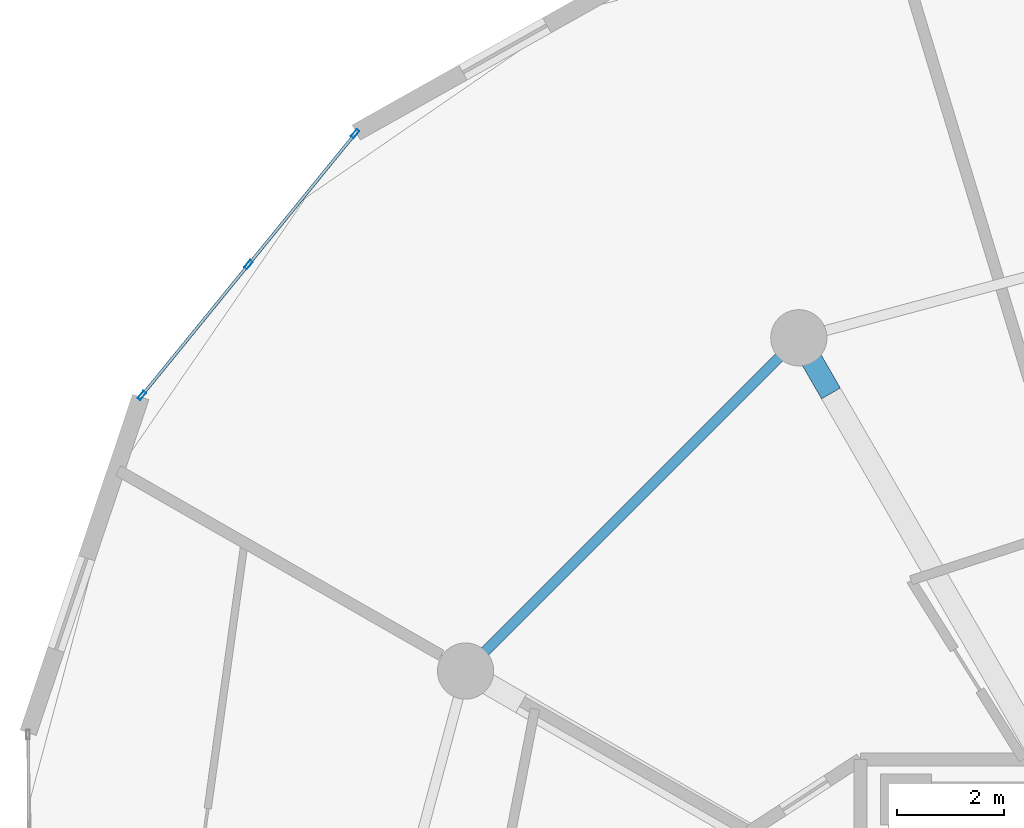
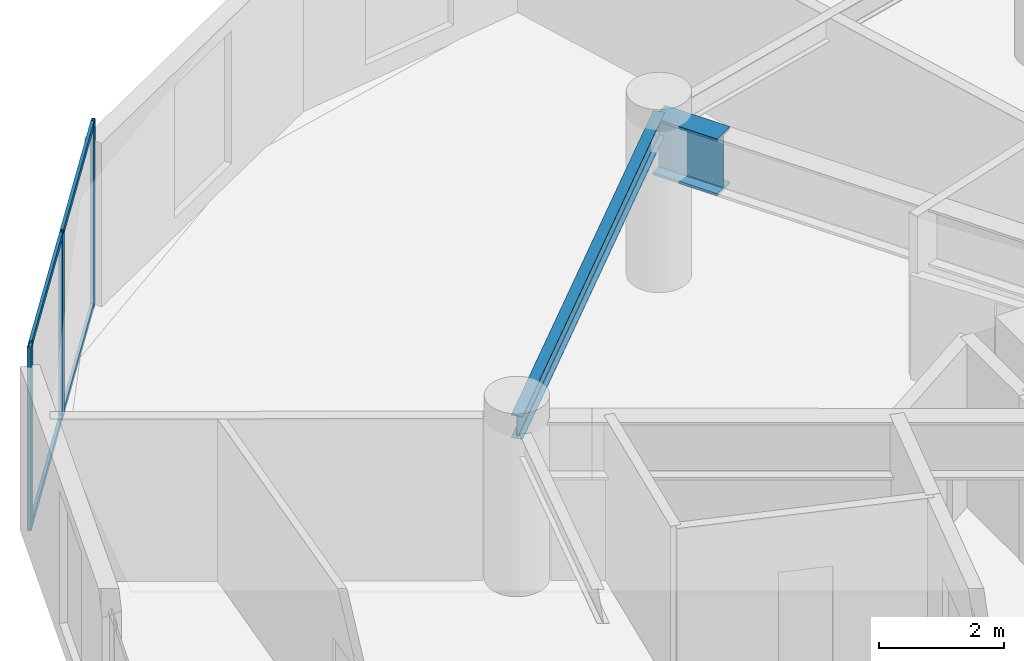
# One storey, part 12 of 22: 7 members, 2 beams, 1 element without a shape of its own.
"""IFC4 building model written with IfcOpenShell, lengths in metres."""

import ifcopenshell
import ifcopenshell.guid

model = None  # the IFC model being written
_history = None  # IfcOwnerHistory: only IFC2X3 demands one
_inside = {}  # id of a spatial element -> (the spatial element, [elements in it])
_under = {}  # id of a project, library or spatial element -> (it, [spatial elements below it])
_declared = {}  # id of a project -> (the project, [libraries it declares])
_typed = {}  # id of a type object -> (the type object, [elements of that type])
_made_of = {}  # id of a material, layer set ... -> (it, [elements and type objects made of it])


def new_model(schema):
    """Start an empty IFC model of exactly this schema.

    Asked for "IFC4X3", IfcOpenShell would pick the latest addendum, in which some entities
    have other attributes; the version numbers below select the first issue.
    IFC2X3 requires an IfcOwnerHistory on every rooted entity: one is made here for all.
    """
    global model, _history
    if schema == "IFC4X3":
        model = ifcopenshell.file(schema_version=(4, 3, 0, 0))
    else:
        model = ifcopenshell.file(schema=schema)
    _inside.clear()
    _under.clear()
    _declared.clear()
    _typed.clear()
    _made_of.clear()
    _history = None
    if model.schema == "IFC2X3":
        org = make("IfcOrganization", Name="unknown")
        user = make(
            "IfcPersonAndOrganization",
            ThePerson=make("IfcPerson", FamilyName="unknown"),
            TheOrganization=org,
        )
        app = make(
            "IfcApplication",
            ApplicationDeveloper=org,
            Version="unknown",
            ApplicationFullName="unknown",
            ApplicationIdentifier="unknown",
        )
        _history = make(
            "IfcOwnerHistory",
            OwningUser=user,
            OwningApplication=app,
            ChangeAction="ADDED",
            CreationDate=0,
        )
    return model


def make(cls, **values):
    """One entity of the class cls with the attributes given. An attribute that is None is left unset."""
    return model.create_entity(
        cls, **{name: value for name, value in values.items() if value is not None}
    )


def rooted(cls, **values):
    """An entity with a GlobalId (a new one), such as an element, a storey or a relation."""
    return make(cls, GlobalId=ifcopenshell.guid.new(), OwnerHistory=_history, **values)


def si_unit(unit_type, name, prefix=None):
    """IfcSIUnit, for example si_unit("LENGTHUNIT", "METRE", prefix="MILLI")."""
    return make("IfcSIUnit", UnitType=unit_type, Prefix=prefix, Name=name)


def assignment(units):
    """IfcUnitAssignment: the units of a project."""
    return None if units is None else make("IfcUnitAssignment", Units=units)


def point(xyz):
    """IfcCartesianPoint."""
    return None if xyz is None else make("IfcCartesianPoint", Coordinates=xyz)


def direction(xyz):
    """IfcDirection."""
    return None if xyz is None else make("IfcDirection", DirectionRatios=xyz)


def frame(location, z_axis=None, x_axis=None):
    """IfcAxis2Placement3D, a coordinate frame: its origin and axes. An axis left out is left unset."""
    return make(
        "IfcAxis2Placement3D",
        Location=point(location),
        Axis=direction(z_axis),
        RefDirection=direction(x_axis),
    )


def frame_2d(location, x_axis=None):
    """IfcAxis2Placement2D, a coordinate frame in the plane: its origin and x axis."""
    return make(
        "IfcAxis2Placement2D", Location=point(location), RefDirection=direction(x_axis)
    )


def origin():
    """The frame at (0, 0, 0) with its axes left unset."""
    return frame((0.0, 0.0, 0.0))


def origin_2d():
    """The frame at (0, 0) in the plane with its x axis left unset."""
    return frame_2d((0.0, 0.0))


def place(relative_to, where):
    """IfcLocalPlacement: puts the frame where relative to a parent placement (None: the world)."""
    return make(
        "IfcLocalPlacement", PlacementRelTo=relative_to, RelativePlacement=where
    )


def context(
    kind, dimensions, precision=None, world=None, true_north=None, identifier=None
):
    """IfcGeometricRepresentationContext, for example the 3D "Model" context."""
    return make(
        "IfcGeometricRepresentationContext",
        ContextIdentifier=identifier,
        ContextType=kind,
        CoordinateSpaceDimension=dimensions,
        Precision=precision,
        WorldCoordinateSystem=world,
        TrueNorth=true_north,
    )


def subcontext(parent, identifier, kind, view, scale=None):
    """IfcGeometricRepresentationSubContext, for example "Body" below "Model"."""
    return make(
        "IfcGeometricRepresentationSubContext",
        ContextIdentifier=identifier,
        ContextType=kind,
        ParentContext=parent,
        TargetScale=scale,
        TargetView=view,
    )


def project(units=None, contexts=None):
    """IfcProject with its units and contexts."""
    return rooted(
        "IfcProject",
        Name="project",
        RepresentationContexts=contexts,
        UnitsInContext=assignment(units),
    )


def spatial(cls, under=None, at=None, **own):
    """A site, building, storey or space (cls), placed at a placement, below another one or the project."""
    s = rooted(cls, ObjectPlacement=at, **own)
    if under is not None:
        _under.setdefault(under.id(), (under, []))[1].append(s)
    return s


def profile(cls, at=None, kind="AREA", **sizes):
    """A parametric profile (cls). Its sizes go by their IFC names, for example OverallWidth=200.0."""
    return make(cls, ProfileType=kind, Position=at, **sizes)


def hollow_rectangle(**sizes):
    """IfcRectangleHollowProfileDef."""
    return profile("IfcRectangleHollowProfileDef", **sizes)


def i_section(**sizes):
    """IfcIShapeProfileDef."""
    return profile("IfcIShapeProfileDef", **sizes)


def extrude(swept, where, along, depth):
    """IfcExtrudedAreaSolid: the profile swept, set in the frame where, extruded along a direction by depth."""
    return make(
        "IfcExtrudedAreaSolid",
        SweptArea=swept,
        Position=where,
        ExtrudedDirection=direction(along),
        Depth=depth,
    )


def shape(context_of_items, identifier, shape_type, items):
    """IfcShapeRepresentation: the items that make up one representation, for example the "Body"."""
    return make(
        "IfcShapeRepresentation",
        ContextOfItems=context_of_items,
        RepresentationIdentifier=identifier,
        RepresentationType=shape_type,
        Items=items,
    )


def source(mapping_origin, context_of_items, identifier, shape_type, items):
    """IfcRepresentationMap: a shape defined once, which mapped items show again and again."""
    return make(
        "IfcRepresentationMap",
        MappingOrigin=mapping_origin,
        MappedRepresentation=shape(context_of_items, identifier, shape_type, items),
    )


def transform(
    local_origin,
    x_axis=None,
    y_axis=None,
    z_axis=None,
    scale=None,
    scale2=None,
    scale3=None,
    uniform=True,
):
    """IfcCartesianTransformationOperator3D, or its non-uniform kind. x_axis, y_axis, z_axis: its Axis1, 2, 3."""
    if uniform:
        return make(
            "IfcCartesianTransformationOperator3D",
            Axis1=direction(x_axis),
            Axis2=direction(y_axis),
            LocalOrigin=point(local_origin),
            Scale=scale,
            Axis3=direction(z_axis),
        )
    return make(
        "IfcCartesianTransformationOperator3DnonUniform",
        Axis1=direction(x_axis),
        Axis2=direction(y_axis),
        LocalOrigin=point(local_origin),
        Scale=scale,
        Axis3=direction(z_axis),
        Scale2=scale2,
        Scale3=scale3,
    )


def mapped(mapping_source, mapping_target):
    """IfcMappedItem: shows the shape of a source again, moved by a transform."""
    return make(
        "IfcMappedItem", MappingSource=mapping_source, MappingTarget=mapping_target
    )


def material(Name=None, Category=None):
    """IfcMaterial."""
    return make("IfcMaterial", Name=Name, Category=Category)


def layer(
    of_material, thickness, ventilated=None, Name=None, Category=None, Priority=None
):
    """IfcMaterialLayer: one layer of a wall or slab, of a material (None: an air gap)."""
    return make(
        "IfcMaterialLayer",
        Material=of_material,
        LayerThickness=thickness,
        IsVentilated=ventilated,
        Name=Name,
        Category=Category,
        Priority=Priority,
    )


def layer_set(layers, Name=None):
    """IfcMaterialLayerSet."""
    return make("IfcMaterialLayerSet", MaterialLayers=layers, LayerSetName=Name)


def material_profile(
    of_material, cross_section, Name=None, Category=None, Priority=None
):
    """IfcMaterialProfile: a cross section and its material."""
    return make(
        "IfcMaterialProfile",
        Name=Name,
        Material=of_material,
        Profile=cross_section,
        Priority=Priority,
        Category=Category,
    )


def profile_set(profiles, Name=None, composite=None):
    """IfcMaterialProfileSet."""
    return make(
        "IfcMaterialProfileSet",
        Name=Name,
        MaterialProfiles=profiles,
        CompositeProfile=composite,
    )


def made_of(thing, what):
    """Note that an element or type object is made of a material, layer set ...; save() writes the relation."""
    if what is not None:
        _made_of.setdefault(what.id(), (what, []))[1].append(thing)
    return thing


def type_object(cls, material=None, **own):
    """A type object (cls), such as IfcWallType, which elements share."""
    return made_of(rooted(cls, **own), material)


def element(
    cls,
    number,
    at=None,
    inside=None,
    cuts=None,
    type_object=None,
    material=None,
    context=None,
    identifier="Body",
    shape_type=None,
    held_by="IfcProductDefinitionShape",
    body=None,
    shapes=None,
    **own,
):
    """One element of the class cls, such as IfcWall. Its Tag is "e" and its number.

    at: its placement. inside: the storey or other place that contains it. cuts: it is an
    opening in that element (IfcRelVoidsElement). A single representation is given by context,
    identifier, shape_type and body (its items); several are given by shapes. held_by: the class
    of the entity that holds the representations. save() writes the other relations.
    """
    e = rooted(cls, Tag="e%d" % number, ObjectPlacement=at, **own)
    if body is not None:
        shapes = [shape(context, identifier, shape_type, body)]
    if shapes is not None:
        e.Representation = make(held_by, Representations=shapes)
    if inside is not None:
        _inside.setdefault(inside.id(), (inside, []))[1].append(e)
    if cuts is not None:
        rooted(
            "IfcRelVoidsElement", RelatingBuildingElement=cuts, RelatedOpeningElement=e
        )
    if type_object is not None:
        _typed.setdefault(type_object.id(), (type_object, []))[1].append(e)
    return made_of(e, material)


def aggregate(whole, parts):
    """IfcRelAggregates: a whole, such as a stair, and the parts it consists of."""
    return rooted("IfcRelAggregates", RelatingObject=whole, RelatedObjects=parts)


def save(model, path):
    """Write the relations noted so far, then the file.

    IfcRelAggregates (storeys below a building ...), IfcRelContainedInSpatialStructure (elements
    in a storey), IfcRelDefinesByType, IfcRelAssociatesMaterial and IfcRelDeclares: one each for
    every whole, place, type object, material and project.
    """
    for whole, parts in _under.values():
        aggregate(whole, parts)
    for where, things in _inside.values():
        rooted(
            "IfcRelContainedInSpatialStructure",
            RelatedElements=things,
            RelatingStructure=where,
        )
    for kind, things in _typed.values():
        rooted("IfcRelDefinesByType", RelatedObjects=things, RelatingType=kind)
    for what, things in _made_of.values():
        rooted("IfcRelAssociatesMaterial", RelatedObjects=things, RelatingMaterial=what)
    for by, libraries in _declared.values():
        rooted("IfcRelDeclares", RelatingContext=by, RelatedDefinitions=libraries)
    model.write(path)


model = new_model("IFC4")

# Units and contexts
model_context = context("Model", 3, precision=1e-05, world=origin(), true_north=direction((0.0, 1.0)))
body_context = subcontext(model_context, "Body", "Model", "MODEL_VIEW")
ifc_project = project(units=[si_unit("LENGTHUNIT", "METRE"), si_unit("AREAUNIT", "SQUARE_METRE"), si_unit("VOLUMEUNIT", "CUBIC_METRE"), si_unit("PLANEANGLEUNIT", "RADIAN"), si_unit("MASSUNIT", "GRAM", prefix="KILO")], contexts=[model_context])

# Site, building, storey
site_placement = place(None, origin())
site = spatial("IfcSite", under=ifc_project, at=site_placement, CompositionType="ELEMENT")
building_placement = place(site_placement, origin())
building = spatial("IfcBuilding", under=site, at=building_placement, Name="Solvirekh Grand Hotel", CompositionType="ELEMENT")
storey_placement = place(building_placement, frame((0.0, 0.0, 160.199951171875)))
storey = spatial("IfcBuildingStorey", under=building, at=storey_placement, Name="L41", CompositionType="ELEMENT", Elevation=160.199951171875)

# Beams
ifc_material_1 = material(Name="Steel S355", Category="steel")
ifc_material_profile_1 = material_profile(ifc_material_1, i_section(OverallWidth=0.18994140625, OverallDepth=0.45703125, WebThickness=0.009033203125, FlangeThickness=0.013916015625, FilletRadius=0.012939453125, at=origin_2d()), Name="W460X74")
ifc_profile_set_1 = profile_set([ifc_material_profile_1], Name="Steel S355")
beam_type_1 = type_object("IfcBeamType", Name="Spandrel_Ring_W460", PredefinedType="SPANDREL", material=ifc_profile_set_1)
beam_1_placement = place(storey_placement, frame((-8.5, 14.721923828125, 2.97216796875), z_axis=(-0.707106781187, -0.707106781187, 0.0), x_axis=(0.707106781187, -0.707106781187, 0.0)))
element("IfcBeam", 1, at=beam_1_placement, inside=storey, type_object=beam_type_1, Name="L41 perimeter spandrel beam 5", PredefinedType="SPANDREL", context=body_context, shape_type="SweptSolid", body=[
    extrude(i_section(OverallWidth=0.18994140625, OverallDepth=0.45703125, WebThickness=0.009033203125, FlangeThickness=0.013916015625, FilletRadius=0.012939453125, at=origin_2d()), origin(), (0.0, 0.0, 1.0), 8.799072265625),
])
ifc_material_2 = material(Name="Steel S460", Category="steel")
ifc_material_profile_2 = material_profile(ifc_material_2, i_section(OverallWidth=0.405029296875, OverallDepth=1.117919921875, WebThickness=0.02587890625, FlangeThickness=0.048095703125, FilletRadius=0.02392578125, at=origin_2d()), Name="W1100X499")
ifc_profile_set_2 = profile_set([ifc_material_profile_2], Name="Steel S460")
beam_type_2 = type_object("IfcBeamType", Name="TransferGirder_W1100", PredefinedType="USERDEFINED", material=ifc_profile_set_2)
beam_2_placement = place(storey_placement, frame((-7.89990234375, 13.68310546875, 2.64111328125), z_axis=(-0.500209787201, 0.865904249203, 0.0), x_axis=(-0.865904249203, -0.500209787201, 0.0)))
element("IfcBeam", 2, at=beam_2_placement, inside=storey, type_object=beam_type_2, Name="L41 outer radial transfer girder 5B", ObjectType="TRANSFER GIRDER", PredefinedType="USERDEFINED", context=body_context, shape_type="SweptSolid", body=[
    extrude(i_section(OverallWidth=0.405029296875, OverallDepth=1.117919921875, WebThickness=0.02587890625, FlangeThickness=0.048095703125, FilletRadius=0.02392578125, at=origin_2d()), origin(), (0.0, 0.0, 1.0), 1.19970703125),
])

# Curtain wall, members
ifc_material_3 = material(Name="Anodized Bronze Aluminium 6063-T6", Category="aluminium")
ifc_layer = layer(ifc_material_3, 0.175048828125)
ifc_layer_set = layer_set([ifc_layer], Name="Anodized Bronze Aluminium 6063-T6")
curtain_wall_type = type_object("IfcCurtainWallType", Name="CW_Sys3_MidZoneFlushBronzeCW", PredefinedType="NOTDEFINED", material=ifc_layer_set)
curtain_wall_placement = place(storey_placement, origin())
curtain_wall = element("IfcCurtainWall", 3, at=curtain_wall_placement, inside=storey, type_object=curtain_wall_type, Name="L41 unitised bronze-glass curtain wall CW-L41-C11", PredefinedType="NOTDEFINED")
ifc_material_profile_3 = material_profile(ifc_material_3, hollow_rectangle(XDim=0.06494140625, YDim=0.175048828125, WallThickness=0.0048828125, at=origin_2d()), Name="ALU RHS 175X65X5")
ifc_profile_set_3 = profile_set([ifc_material_profile_3], Name="Anodized Bronze Aluminium 6063-T6")
member_type_1 = type_object("IfcMemberType", Name="CWMullion_Sys3", PredefinedType="MULLION", material=ifc_profile_set_3)
shared_shape_1 = source(origin(), body_context, "Body", "SweptSolid", [
    extrude(hollow_rectangle(XDim=0.06494140625, YDim=0.175048828125, WallThickness=0.0048828125, at=origin_2d()), origin(), (0.0, 0.0, 1.0), 3.60009765625),
])
member_1_placement = place(storey_placement, frame((-16.784423828125, 18.52978515625, 0.0), z_axis=(0.0, 0.0, 1.0), x_axis=(0.77521505001, -0.631697416679, 0.0)))
member_1 = element("IfcMember", 4, at=member_1_placement, type_object=member_type_1, Name="U03 mullion 1", PredefinedType="MULLION", context=body_context, shape_type="MappedRepresentation", body=[
    mapped(shared_shape_1, transform((0.0, 0.0, 0.0), x_axis=(1.0, 0.0, 0.0), y_axis=(0.0, 1.0, 0.0), z_axis=(0.0, 0.0, 1.0), scale=1.0)),
])
member_2_placement = place(storey_placement, frame((-18.775390625, 16.08642578125, 0.0), z_axis=(0.0, 0.0, 1.0), x_axis=(0.77521505001, -0.631697416679, 0.0)))
member_2 = element("IfcMember", 5, at=member_2_placement, type_object=member_type_1, Name="U03 mullion 2", PredefinedType="MULLION", context=body_context, shape_type="MappedRepresentation", body=[
    mapped(shared_shape_1, transform((0.0, 0.0, 0.0), x_axis=(1.0, 0.0, 0.0), y_axis=(0.0, 1.0, 0.0), z_axis=(0.0, 0.0, 1.0), scale=1.0)),
])
member_3_placement = place(storey_placement, frame((-20.766357421875, 13.643310546875, 0.0), z_axis=(0.0, 0.0, 1.0), x_axis=(0.77521505001, -0.631697416679, 0.0)))
member_3 = element("IfcMember", 6, at=member_3_placement, type_object=member_type_1, Name="U03 mullion 3", PredefinedType="MULLION", context=body_context, shape_type="MappedRepresentation", body=[
    mapped(shared_shape_1, transform((0.0, 0.0, 0.0), x_axis=(1.0, 0.0, 0.0), y_axis=(0.0, 1.0, 0.0), z_axis=(0.0, 0.0, 1.0), scale=1.0)),
])
ifc_material_profile_4 = material_profile(ifc_material_3, hollow_rectangle(XDim=0.054931640625, YDim=0.1201171875, WallThickness=0.00390625, at=origin_2d()), Name="ALU RHS 120X55X4")
ifc_profile_set_4 = profile_set([ifc_material_profile_4], Name="Anodized Bronze Aluminium 6063-T6")
member_type_2 = type_object("IfcMemberType", Name="CWTransom_Sys3", PredefinedType="USERDEFINED", material=ifc_profile_set_4)
shared_shape_2 = source(origin(), body_context, "Body", "SweptSolid", [
    extrude(hollow_rectangle(XDim=0.054931640625, YDim=0.1201171875, WallThickness=0.00390625, at=origin_2d()), origin(), (0.0, 0.0, 1.0), 3.086669921875),
])
member_4_placement = place(storey_placement, frame((-16.80517578125, 18.504638671875, 0.027587890625), z_axis=(-0.631672951162, -0.775234985517, 0.0), x_axis=(0.775234985517, -0.631672951162, 0.0)))
member_4 = element("IfcMember", 7, at=member_4_placement, type_object=member_type_2, Name="U03 transom 1.1", ObjectType="TRANSOM", PredefinedType="USERDEFINED", context=body_context, shape_type="MappedRepresentation", body=[
    mapped(shared_shape_2, transform((0.0, 0.0, 0.0), x_axis=(1.0, 0.0, 0.0), y_axis=(0.0, 1.0, 0.0), z_axis=(0.0, 0.0, 1.0), scale=1.0)),
])
member_5_placement = place(storey_placement, frame((-16.80517578125, 18.504638671875, 3.572509765625), z_axis=(-0.631672951162, -0.775234985517, 0.0), x_axis=(0.775234985517, -0.631672951162, 0.0)))
member_5 = element("IfcMember", 8, at=member_5_placement, type_object=member_type_2, Name="U03 transom 1.2", ObjectType="TRANSOM", PredefinedType="USERDEFINED", context=body_context, shape_type="MappedRepresentation", body=[
    mapped(shared_shape_2, transform((0.0, 0.0, 0.0), x_axis=(1.0, 0.0, 0.0), y_axis=(0.0, 1.0, 0.0), z_axis=(0.0, 0.0, 1.0), scale=1.0)),
])
member_6_placement = place(storey_placement, frame((-18.796142578125, 16.061279296875, 0.027587890625), z_axis=(-0.631672951162, -0.775234985517, 0.0), x_axis=(0.775234985517, -0.631672951162, 0.0)))
member_6 = element("IfcMember", 9, at=member_6_placement, type_object=member_type_2, Name="U03 transom 2.1", ObjectType="TRANSOM", PredefinedType="USERDEFINED", context=body_context, shape_type="MappedRepresentation", body=[
    mapped(shared_shape_2, transform((0.0, 0.0, 0.0), x_axis=(1.0, 0.0, 0.0), y_axis=(0.0, 1.0, 0.0), z_axis=(0.0, 0.0, 1.0), scale=1.0)),
])
member_7_placement = place(storey_placement, frame((-18.796142578125, 16.061279296875, 3.572509765625), z_axis=(-0.631672951162, -0.775234985517, 0.0), x_axis=(0.775234985517, -0.631672951162, 0.0)))
member_7 = element("IfcMember", 10, at=member_7_placement, type_object=member_type_2, Name="U03 transom 2.2", ObjectType="TRANSOM", PredefinedType="USERDEFINED", context=body_context, shape_type="MappedRepresentation", body=[
    mapped(shared_shape_2, transform((0.0, 0.0, 0.0), x_axis=(1.0, 0.0, 0.0), y_axis=(0.0, 1.0, 0.0), z_axis=(0.0, 0.0, 1.0), scale=1.0)),
])
aggregate(curtain_wall, [member_1, member_2, member_3, member_4, member_5, member_6, member_7])

save(model, "model.ifc")
